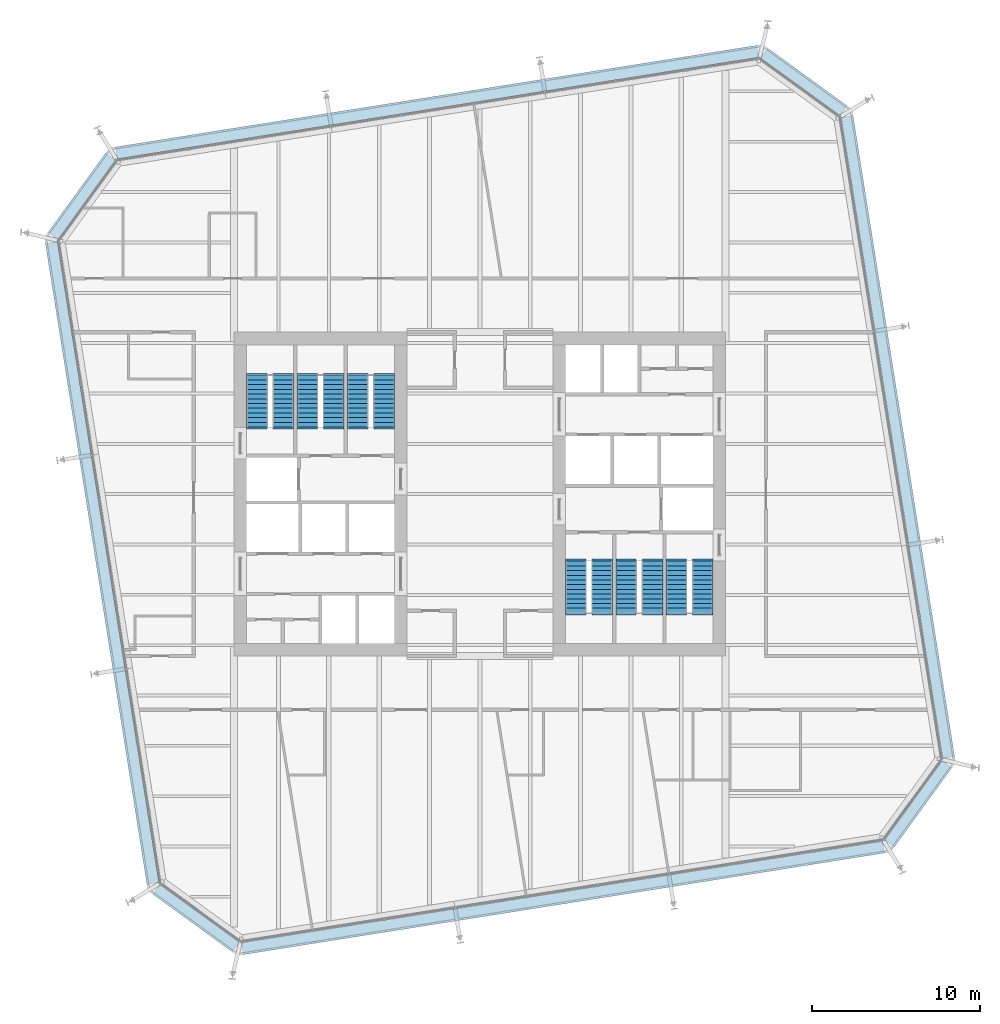
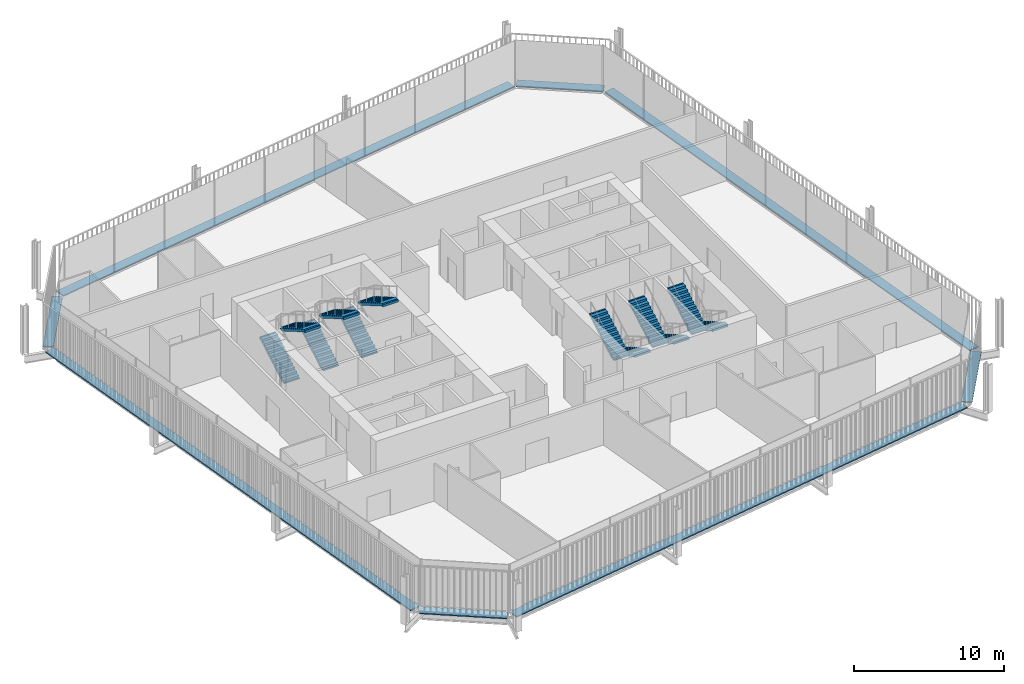
# One storey, part 20 of 21: 12 stair flights, 8 discrete accessories, 6 elements without a shape of their own.
"""IFC4 building model written with IfcOpenShell, lengths in metres."""

from ifc_helpers import new_model, si_unit, direction, frame, origin, origin_2d, place, context, subcontext, project, spatial, polyline, rectangle, outline, extrude, material, type_object, element, aggregate, save


model = new_model("IFC4")

# Units and contexts
model_context = context("Model", 3, precision=1e-05, world=origin(), true_north=direction((0.0, 1.0)))
body_context = subcontext(model_context, "Body", "Model", "MODEL_VIEW")
ifc_project = project(units=[si_unit("LENGTHUNIT", "METRE"), si_unit("AREAUNIT", "SQUARE_METRE"), si_unit("VOLUMEUNIT", "CUBIC_METRE"), si_unit("PLANEANGLEUNIT", "RADIAN"), si_unit("MASSUNIT", "GRAM", prefix="KILO")], contexts=[model_context])

# Site, building, storey
site_placement = place(None, origin())
site = spatial("IfcSite", under=ifc_project, at=site_placement, CompositionType="ELEMENT")
building_placement = place(site_placement, origin())
building = spatial("IfcBuilding", under=site, at=building_placement, Name="Millrace Tower", CompositionType="ELEMENT")
storey_placement = place(building_placement, frame((0.0, 0.0, 164.60009765625)))
storey = spatial("IfcBuildingStorey", under=building, at=storey_placement, Name="L37", CompositionType="ELEMENT", Elevation=164.60009765625)

# Stair, stair flights
ifc_material_1 = material(Name="Concrete C35", Category="concrete")
stair_type = type_object("IfcStairType", Name="Exit stair", PredefinedType="HALF_TURN_STAIR", material=ifc_material_1)
placement = place(storey_placement, origin())
stair_1 = element("IfcStair", 1, at=placement, inside=storey, type_object=stair_type, Name="Stair 1 W L37", PredefinedType="HALF_TURN_STAIR")
ifc_material_2 = material(Name="Concrete C35", Category="concrete")
stair_flight_type = type_object("IfcStairFlightType", Name="Exit stair flight", PredefinedType="STRAIGHT", material=ifc_material_2)
stair_flight_1_placement = place(storey_placement, frame((-13.2900390625, 4.0, 0.0), z_axis=(0.0, 0.0, 1.0), x_axis=(0.0, 1.0, 0.0)))
stair_flight_1 = element("IfcStairFlight", 2, at=stair_flight_1_placement, type_object=stair_flight_type, Name="ST12 flight 1", NumberOfRisers=12, NumberOfTreads=11, PredefinedType="STRAIGHT", RiserHeight=0.1625, TreadLength=0.28, context=body_context, shape_type="SweptSolid", body=[
    extrude(outline(polyline([(-0.1201171875, -0.0400390625), (-0.1201171875, 0.0), (0.0, 0.0), (0.0, 0.16259765625), (0.280029296875, 0.16259765625), (0.280029296875, 0.324951171875), (0.56005859375, 0.324951171875), (0.56005859375, 0.487548828125), (0.840087890625, 0.487548828125), (0.840087890625, 0.64990234375), (1.1201171875, 0.64990234375), (1.1201171875, 0.8125), (1.39990234375, 0.8125), (1.39990234375, 0.97509765625), (1.679931640625, 0.97509765625), (1.679931640625, 1.137451171875), (1.9599609375, 1.137451171875), (1.9599609375, 1.300048828125), (2.239990234375, 1.300048828125), (2.239990234375, 1.46240234375), (2.52001953125, 1.46240234375), (2.52001953125, 1.625), (2.800048828125, 1.625), (2.800048828125, 1.78759765625), (3.080078125, 1.78759765625), (3.080078125, 1.8076171875), (3.199951171875, 1.8076171875), (3.199951171875, 1.6142578125), (3.080078125, 1.6142578125), (0.298583984375, 0.0), (0.298583984375, -0.0400390625), (-0.1201171875, -0.0400390625)])), frame((0.0, 0.60986328125, 0.0), z_axis=(0.0, -1.0, 0.0), x_axis=(1.0, 0.0, 0.0)), (0.0, 0.0, 1.0), 1.219970703125),
])
stair_flight_2_placement = place(storey_placement, frame((-11.7099609375, 7.080078125, 1.949951171875), z_axis=(0.0, 0.0, 1.0), x_axis=(0.0, -1.0, 0.0)))
stair_flight_2 = element("IfcStairFlight", 3, at=stair_flight_2_placement, type_object=stair_flight_type, Name="ST12 flight 2", NumberOfRisers=12, NumberOfTreads=11, PredefinedType="STRAIGHT", RiserHeight=0.1625, TreadLength=0.28, context=body_context, shape_type="SweptSolid", body=[
    extrude(outline(polyline([(-0.1201171875, -0.0400390625), (-0.1201171875, 0.0), (0.0, 0.0), (0.0, 0.16259765625), (0.280029296875, 0.16259765625), (0.280029296875, 0.324951171875), (0.56005859375, 0.324951171875), (0.56005859375, 0.487548828125), (0.840087890625, 0.487548828125), (0.840087890625, 0.64990234375), (1.1201171875, 0.64990234375), (1.1201171875, 0.8125), (1.39990234375, 0.8125), (1.39990234375, 0.97509765625), (1.679931640625, 0.97509765625), (1.679931640625, 1.137451171875), (1.9599609375, 1.137451171875), (1.9599609375, 1.300048828125), (2.239990234375, 1.300048828125), (2.239990234375, 1.46240234375), (2.52001953125, 1.46240234375), (2.52001953125, 1.625), (2.800048828125, 1.625), (2.800048828125, 1.78759765625), (3.080078125, 1.78759765625), (3.080078125, 1.8076171875), (3.199951171875, 1.8076171875), (3.199951171875, 1.6142578125), (3.080078125, 1.6142578125), (0.298583984375, 0.0), (0.298583984375, -0.0400390625), (-0.1201171875, -0.0400390625)])), frame((0.0, 0.60986328125, 0.0), z_axis=(0.0, -1.0, 0.0), x_axis=(1.0, 0.0, 0.0)), (0.0, 0.0, 1.0), 1.219970703125),
])
aggregate(stair_1, [stair_flight_1, stair_flight_2])

stair_2 = element("IfcStair", 4, at=placement, inside=storey, type_object=stair_type, Name="Stair 2 W L37", PredefinedType="HALF_TURN_STAIR")
stair_flight_3_placement = place(storey_placement, frame((-10.2900390625, 4.0, 0.0), z_axis=(0.0, 0.0, 1.0), x_axis=(0.0, 1.0, 0.0)))
stair_flight_3 = element("IfcStairFlight", 5, at=stair_flight_3_placement, type_object=stair_flight_type, Name="ST12 flight 1", NumberOfRisers=12, NumberOfTreads=11, PredefinedType="STRAIGHT", RiserHeight=0.1625, TreadLength=0.28, context=body_context, shape_type="SweptSolid", body=[
    extrude(outline(polyline([(-0.1201171875, -0.0400390625), (-0.1201171875, 0.0), (0.0, 0.0), (0.0, 0.16259765625), (0.280029296875, 0.16259765625), (0.280029296875, 0.324951171875), (0.56005859375, 0.324951171875), (0.56005859375, 0.487548828125), (0.840087890625, 0.487548828125), (0.840087890625, 0.64990234375), (1.1201171875, 0.64990234375), (1.1201171875, 0.8125), (1.39990234375, 0.8125), (1.39990234375, 0.97509765625), (1.679931640625, 0.97509765625), (1.679931640625, 1.137451171875), (1.9599609375, 1.137451171875), (1.9599609375, 1.300048828125), (2.239990234375, 1.300048828125), (2.239990234375, 1.46240234375), (2.52001953125, 1.46240234375), (2.52001953125, 1.625), (2.800048828125, 1.625), (2.800048828125, 1.78759765625), (3.080078125, 1.78759765625), (3.080078125, 1.8076171875), (3.199951171875, 1.8076171875), (3.199951171875, 1.6142578125), (3.080078125, 1.6142578125), (0.298583984375, 0.0), (0.298583984375, -0.0400390625), (-0.1201171875, -0.0400390625)])), frame((0.0, 0.60986328125, 0.0), z_axis=(0.0, -1.0, 0.0), x_axis=(1.0, 0.0, 0.0)), (0.0, 0.0, 1.0), 1.219970703125),
])
stair_flight_4_placement = place(storey_placement, frame((-8.7099609375, 7.080078125, 1.949951171875), z_axis=(0.0, 0.0, 1.0), x_axis=(0.0, -1.0, 0.0)))
stair_flight_4 = element("IfcStairFlight", 6, at=stair_flight_4_placement, type_object=stair_flight_type, Name="ST12 flight 2", NumberOfRisers=12, NumberOfTreads=11, PredefinedType="STRAIGHT", RiserHeight=0.1625, TreadLength=0.28, context=body_context, shape_type="SweptSolid", body=[
    extrude(outline(polyline([(-0.1201171875, -0.0400390625), (-0.1201171875, 0.0), (0.0, 0.0), (0.0, 0.16259765625), (0.280029296875, 0.16259765625), (0.280029296875, 0.324951171875), (0.56005859375, 0.324951171875), (0.56005859375, 0.487548828125), (0.840087890625, 0.487548828125), (0.840087890625, 0.64990234375), (1.1201171875, 0.64990234375), (1.1201171875, 0.8125), (1.39990234375, 0.8125), (1.39990234375, 0.97509765625), (1.679931640625, 0.97509765625), (1.679931640625, 1.137451171875), (1.9599609375, 1.137451171875), (1.9599609375, 1.300048828125), (2.239990234375, 1.300048828125), (2.239990234375, 1.46240234375), (2.52001953125, 1.46240234375), (2.52001953125, 1.625), (2.800048828125, 1.625), (2.800048828125, 1.78759765625), (3.080078125, 1.78759765625), (3.080078125, 1.8076171875), (3.199951171875, 1.8076171875), (3.199951171875, 1.6142578125), (3.080078125, 1.6142578125), (0.298583984375, 0.0), (0.298583984375, -0.0400390625), (-0.1201171875, -0.0400390625)])), frame((0.0, 0.60986328125, 0.0), z_axis=(0.0, -1.0, 0.0), x_axis=(1.0, 0.0, 0.0)), (0.0, 0.0, 1.0), 1.219970703125),
])
aggregate(stair_2, [stair_flight_3, stair_flight_4])

stair_3 = element("IfcStair", 7, at=placement, inside=storey, type_object=stair_type, Name="Stair 3 W L37", PredefinedType="HALF_TURN_STAIR")
stair_flight_5_placement = place(storey_placement, frame((-7.2900390625, 4.0, 0.0), z_axis=(0.0, 0.0, 1.0), x_axis=(0.0, 1.0, 0.0)))
stair_flight_5 = element("IfcStairFlight", 8, at=stair_flight_5_placement, type_object=stair_flight_type, Name="ST12 flight 1", NumberOfRisers=12, NumberOfTreads=11, PredefinedType="STRAIGHT", RiserHeight=0.1625, TreadLength=0.28, context=body_context, shape_type="SweptSolid", body=[
    extrude(outline(polyline([(-0.1201171875, -0.0400390625), (-0.1201171875, 0.0), (0.0, 0.0), (0.0, 0.16259765625), (0.280029296875, 0.16259765625), (0.280029296875, 0.324951171875), (0.56005859375, 0.324951171875), (0.56005859375, 0.487548828125), (0.840087890625, 0.487548828125), (0.840087890625, 0.64990234375), (1.1201171875, 0.64990234375), (1.1201171875, 0.8125), (1.39990234375, 0.8125), (1.39990234375, 0.97509765625), (1.679931640625, 0.97509765625), (1.679931640625, 1.137451171875), (1.9599609375, 1.137451171875), (1.9599609375, 1.300048828125), (2.239990234375, 1.300048828125), (2.239990234375, 1.46240234375), (2.52001953125, 1.46240234375), (2.52001953125, 1.625), (2.800048828125, 1.625), (2.800048828125, 1.78759765625), (3.080078125, 1.78759765625), (3.080078125, 1.8076171875), (3.199951171875, 1.8076171875), (3.199951171875, 1.6142578125), (3.080078125, 1.6142578125), (0.298583984375, 0.0), (0.298583984375, -0.0400390625), (-0.1201171875, -0.0400390625)])), frame((0.0, 0.60986328125, 0.0), z_axis=(0.0, -1.0, 0.0), x_axis=(1.0, 0.0, 0.0)), (0.0, 0.0, 1.0), 1.219970703125),
])
stair_flight_6_placement = place(storey_placement, frame((-5.7099609375, 7.080078125, 1.949951171875), z_axis=(0.0, 0.0, 1.0), x_axis=(0.0, -1.0, 0.0)))
stair_flight_6 = element("IfcStairFlight", 9, at=stair_flight_6_placement, type_object=stair_flight_type, Name="ST12 flight 2", NumberOfRisers=12, NumberOfTreads=11, PredefinedType="STRAIGHT", RiserHeight=0.1625, TreadLength=0.28, context=body_context, shape_type="SweptSolid", body=[
    extrude(outline(polyline([(-0.1201171875, -0.0400390625), (-0.1201171875, 0.0), (0.0, 0.0), (0.0, 0.16259765625), (0.280029296875, 0.16259765625), (0.280029296875, 0.324951171875), (0.56005859375, 0.324951171875), (0.56005859375, 0.487548828125), (0.840087890625, 0.487548828125), (0.840087890625, 0.64990234375), (1.1201171875, 0.64990234375), (1.1201171875, 0.8125), (1.39990234375, 0.8125), (1.39990234375, 0.97509765625), (1.679931640625, 0.97509765625), (1.679931640625, 1.137451171875), (1.9599609375, 1.137451171875), (1.9599609375, 1.300048828125), (2.239990234375, 1.300048828125), (2.239990234375, 1.46240234375), (2.52001953125, 1.46240234375), (2.52001953125, 1.625), (2.800048828125, 1.625), (2.800048828125, 1.78759765625), (3.080078125, 1.78759765625), (3.080078125, 1.8076171875), (3.199951171875, 1.8076171875), (3.199951171875, 1.6142578125), (3.080078125, 1.6142578125), (0.298583984375, 0.0), (0.298583984375, -0.0400390625), (-0.1201171875, -0.0400390625)])), frame((0.0, 0.60986328125, 0.0), z_axis=(0.0, -1.0, 0.0), x_axis=(1.0, 0.0, 0.0)), (0.0, 0.0, 1.0), 1.219970703125),
])
aggregate(stair_3, [stair_flight_5, stair_flight_6])

stair_4 = element("IfcStair", 10, at=placement, inside=storey, type_object=stair_type, Name="Stair 1 E L37", PredefinedType="HALF_TURN_STAIR")
stair_flight_7_placement = place(storey_placement, frame((13.2900390625, -4.0, 0.0), z_axis=(0.0, 0.0, 1.0), x_axis=(0.0, -1.0, 0.0)))
stair_flight_7 = element("IfcStairFlight", 11, at=stair_flight_7_placement, type_object=stair_flight_type, Name="ST12 flight 1", NumberOfRisers=12, NumberOfTreads=11, PredefinedType="STRAIGHT", RiserHeight=0.1625, TreadLength=0.28, context=body_context, shape_type="SweptSolid", body=[
    extrude(outline(polyline([(-0.1201171875, -0.0400390625), (-0.1201171875, 0.0), (0.0, 0.0), (0.0, 0.16259765625), (0.280029296875, 0.16259765625), (0.280029296875, 0.324951171875), (0.56005859375, 0.324951171875), (0.56005859375, 0.487548828125), (0.840087890625, 0.487548828125), (0.840087890625, 0.64990234375), (1.1201171875, 0.64990234375), (1.1201171875, 0.8125), (1.39990234375, 0.8125), (1.39990234375, 0.97509765625), (1.679931640625, 0.97509765625), (1.679931640625, 1.137451171875), (1.9599609375, 1.137451171875), (1.9599609375, 1.300048828125), (2.239990234375, 1.300048828125), (2.239990234375, 1.46240234375), (2.52001953125, 1.46240234375), (2.52001953125, 1.625), (2.800048828125, 1.625), (2.800048828125, 1.78759765625), (3.080078125, 1.78759765625), (3.080078125, 1.8076171875), (3.199951171875, 1.8076171875), (3.199951171875, 1.6142578125), (3.080078125, 1.6142578125), (0.298583984375, 0.0), (0.298583984375, -0.0400390625), (-0.1201171875, -0.0400390625)])), frame((0.0, 0.60986328125, 0.0), z_axis=(0.0, -1.0, 0.0), x_axis=(1.0, 0.0, 0.0)), (0.0, 0.0, 1.0), 1.219970703125),
])
stair_flight_8_placement = place(storey_placement, frame((11.7099609375, -7.080078125, 1.949951171875), z_axis=(0.0, 0.0, 1.0), x_axis=(0.0, 1.0, 0.0)))
stair_flight_8 = element("IfcStairFlight", 12, at=stair_flight_8_placement, type_object=stair_flight_type, Name="ST12 flight 2", NumberOfRisers=12, NumberOfTreads=11, PredefinedType="STRAIGHT", RiserHeight=0.1625, TreadLength=0.28, context=body_context, shape_type="SweptSolid", body=[
    extrude(outline(polyline([(-0.1201171875, -0.0400390625), (-0.1201171875, 0.0), (0.0, 0.0), (0.0, 0.16259765625), (0.280029296875, 0.16259765625), (0.280029296875, 0.324951171875), (0.56005859375, 0.324951171875), (0.56005859375, 0.487548828125), (0.840087890625, 0.487548828125), (0.840087890625, 0.64990234375), (1.1201171875, 0.64990234375), (1.1201171875, 0.8125), (1.39990234375, 0.8125), (1.39990234375, 0.97509765625), (1.679931640625, 0.97509765625), (1.679931640625, 1.137451171875), (1.9599609375, 1.137451171875), (1.9599609375, 1.300048828125), (2.239990234375, 1.300048828125), (2.239990234375, 1.46240234375), (2.52001953125, 1.46240234375), (2.52001953125, 1.625), (2.800048828125, 1.625), (2.800048828125, 1.78759765625), (3.080078125, 1.78759765625), (3.080078125, 1.8076171875), (3.199951171875, 1.8076171875), (3.199951171875, 1.6142578125), (3.080078125, 1.6142578125), (0.298583984375, 0.0), (0.298583984375, -0.0400390625), (-0.1201171875, -0.0400390625)])), frame((0.0, 0.60986328125, 0.0), z_axis=(0.0, -1.0, 0.0), x_axis=(1.0, 0.0, 0.0)), (0.0, 0.0, 1.0), 1.219970703125),
])
aggregate(stair_4, [stair_flight_7, stair_flight_8])

stair_5 = element("IfcStair", 13, at=placement, inside=storey, type_object=stair_type, Name="Stair 2 E L37", PredefinedType="HALF_TURN_STAIR")
stair_flight_9_placement = place(storey_placement, frame((10.2900390625, -4.0, 0.0), z_axis=(0.0, 0.0, 1.0), x_axis=(0.0, -1.0, 0.0)))
stair_flight_9 = element("IfcStairFlight", 14, at=stair_flight_9_placement, type_object=stair_flight_type, Name="ST12 flight 1", NumberOfRisers=12, NumberOfTreads=11, PredefinedType="STRAIGHT", RiserHeight=0.1625, TreadLength=0.28, context=body_context, shape_type="SweptSolid", body=[
    extrude(outline(polyline([(-0.1201171875, -0.0400390625), (-0.1201171875, 0.0), (0.0, 0.0), (0.0, 0.16259765625), (0.280029296875, 0.16259765625), (0.280029296875, 0.324951171875), (0.56005859375, 0.324951171875), (0.56005859375, 0.487548828125), (0.840087890625, 0.487548828125), (0.840087890625, 0.64990234375), (1.1201171875, 0.64990234375), (1.1201171875, 0.8125), (1.39990234375, 0.8125), (1.39990234375, 0.97509765625), (1.679931640625, 0.97509765625), (1.679931640625, 1.137451171875), (1.9599609375, 1.137451171875), (1.9599609375, 1.300048828125), (2.239990234375, 1.300048828125), (2.239990234375, 1.46240234375), (2.52001953125, 1.46240234375), (2.52001953125, 1.625), (2.800048828125, 1.625), (2.800048828125, 1.78759765625), (3.080078125, 1.78759765625), (3.080078125, 1.8076171875), (3.199951171875, 1.8076171875), (3.199951171875, 1.6142578125), (3.080078125, 1.6142578125), (0.298583984375, 0.0), (0.298583984375, -0.0400390625), (-0.1201171875, -0.0400390625)])), frame((0.0, 0.60986328125, 0.0), z_axis=(0.0, -1.0, 0.0), x_axis=(1.0, 0.0, 0.0)), (0.0, 0.0, 1.0), 1.219970703125),
])
stair_flight_10_placement = place(storey_placement, frame((8.7099609375, -7.080078125, 1.949951171875), z_axis=(0.0, 0.0, 1.0), x_axis=(0.0, 1.0, 0.0)))
stair_flight_10 = element("IfcStairFlight", 15, at=stair_flight_10_placement, type_object=stair_flight_type, Name="ST12 flight 2", NumberOfRisers=12, NumberOfTreads=11, PredefinedType="STRAIGHT", RiserHeight=0.1625, TreadLength=0.28, context=body_context, shape_type="SweptSolid", body=[
    extrude(outline(polyline([(-0.1201171875, -0.0400390625), (-0.1201171875, 0.0), (0.0, 0.0), (0.0, 0.16259765625), (0.280029296875, 0.16259765625), (0.280029296875, 0.324951171875), (0.56005859375, 0.324951171875), (0.56005859375, 0.487548828125), (0.840087890625, 0.487548828125), (0.840087890625, 0.64990234375), (1.1201171875, 0.64990234375), (1.1201171875, 0.8125), (1.39990234375, 0.8125), (1.39990234375, 0.97509765625), (1.679931640625, 0.97509765625), (1.679931640625, 1.137451171875), (1.9599609375, 1.137451171875), (1.9599609375, 1.300048828125), (2.239990234375, 1.300048828125), (2.239990234375, 1.46240234375), (2.52001953125, 1.46240234375), (2.52001953125, 1.625), (2.800048828125, 1.625), (2.800048828125, 1.78759765625), (3.080078125, 1.78759765625), (3.080078125, 1.8076171875), (3.199951171875, 1.8076171875), (3.199951171875, 1.6142578125), (3.080078125, 1.6142578125), (0.298583984375, 0.0), (0.298583984375, -0.0400390625), (-0.1201171875, -0.0400390625)])), frame((0.0, 0.60986328125, 0.0), z_axis=(0.0, -1.0, 0.0), x_axis=(1.0, 0.0, 0.0)), (0.0, 0.0, 1.0), 1.219970703125),
])
aggregate(stair_5, [stair_flight_9, stair_flight_10])

stair_6 = element("IfcStair", 16, at=placement, inside=storey, type_object=stair_type, Name="Stair 3 E L37", PredefinedType="HALF_TURN_STAIR")
stair_flight_11_placement = place(storey_placement, frame((7.2900390625, -4.0, 0.0), z_axis=(0.0, 0.0, 1.0), x_axis=(0.0, -1.0, 0.0)))
stair_flight_11 = element("IfcStairFlight", 17, at=stair_flight_11_placement, type_object=stair_flight_type, Name="ST12 flight 1", NumberOfRisers=12, NumberOfTreads=11, PredefinedType="STRAIGHT", RiserHeight=0.1625, TreadLength=0.28, context=body_context, shape_type="SweptSolid", body=[
    extrude(outline(polyline([(-0.1201171875, -0.0400390625), (-0.1201171875, 0.0), (0.0, 0.0), (0.0, 0.16259765625), (0.280029296875, 0.16259765625), (0.280029296875, 0.324951171875), (0.56005859375, 0.324951171875), (0.56005859375, 0.487548828125), (0.840087890625, 0.487548828125), (0.840087890625, 0.64990234375), (1.1201171875, 0.64990234375), (1.1201171875, 0.8125), (1.39990234375, 0.8125), (1.39990234375, 0.97509765625), (1.679931640625, 0.97509765625), (1.679931640625, 1.137451171875), (1.9599609375, 1.137451171875), (1.9599609375, 1.300048828125), (2.239990234375, 1.300048828125), (2.239990234375, 1.46240234375), (2.52001953125, 1.46240234375), (2.52001953125, 1.625), (2.800048828125, 1.625), (2.800048828125, 1.78759765625), (3.080078125, 1.78759765625), (3.080078125, 1.8076171875), (3.199951171875, 1.8076171875), (3.199951171875, 1.6142578125), (3.080078125, 1.6142578125), (0.298583984375, 0.0), (0.298583984375, -0.0400390625), (-0.1201171875, -0.0400390625)])), frame((0.0, 0.60986328125, 0.0), z_axis=(0.0, -1.0, 0.0), x_axis=(1.0, 0.0, 0.0)), (0.0, 0.0, 1.0), 1.219970703125),
])
stair_flight_12_placement = place(storey_placement, frame((5.7099609375, -7.080078125, 1.949951171875), z_axis=(0.0, 0.0, 1.0), x_axis=(0.0, 1.0, 0.0)))
stair_flight_12 = element("IfcStairFlight", 18, at=stair_flight_12_placement, type_object=stair_flight_type, Name="ST12 flight 2", NumberOfRisers=12, NumberOfTreads=11, PredefinedType="STRAIGHT", RiserHeight=0.1625, TreadLength=0.28, context=body_context, shape_type="SweptSolid", body=[
    extrude(outline(polyline([(-0.1201171875, -0.0400390625), (-0.1201171875, 0.0), (0.0, 0.0), (0.0, 0.16259765625), (0.280029296875, 0.16259765625), (0.280029296875, 0.324951171875), (0.56005859375, 0.324951171875), (0.56005859375, 0.487548828125), (0.840087890625, 0.487548828125), (0.840087890625, 0.64990234375), (1.1201171875, 0.64990234375), (1.1201171875, 0.8125), (1.39990234375, 0.8125), (1.39990234375, 0.97509765625), (1.679931640625, 0.97509765625), (1.679931640625, 1.137451171875), (1.9599609375, 1.137451171875), (1.9599609375, 1.300048828125), (2.239990234375, 1.300048828125), (2.239990234375, 1.46240234375), (2.52001953125, 1.46240234375), (2.52001953125, 1.625), (2.800048828125, 1.625), (2.800048828125, 1.78759765625), (3.080078125, 1.78759765625), (3.080078125, 1.8076171875), (3.199951171875, 1.8076171875), (3.199951171875, 1.6142578125), (3.080078125, 1.6142578125), (0.298583984375, 0.0), (0.298583984375, -0.0400390625), (-0.1201171875, -0.0400390625)])), frame((0.0, 0.60986328125, 0.0), z_axis=(0.0, -1.0, 0.0), x_axis=(1.0, 0.0, 0.0)), (0.0, 0.0, 1.0), 1.219970703125),
])
aggregate(stair_6, [stair_flight_11, stair_flight_12])

# Discrete accessories
ifc_material_3 = material(Name="Stainless steel ASTM A240 type 316", Category="steel")
discrete_accessory_type = type_object("IfcDiscreteAccessoryType", Name="Thermally broken screen support rail", PredefinedType="BRACKET", material=ifc_material_3)
discrete_accessory_1_placement = place(storey_placement, frame((-16.909423828125, -25.275390625, -0.000244140625), z_axis=(0.0, 0.0, 1.0), x_axis=(0.809016981623, -0.587785269844, 0.0)))
element("IfcDiscreteAccessory", 19, at=discrete_accessory_1_placement, inside=storey, type_object=discrete_accessory_type, Name="Thermally broken screen support rail C-F01 L37 1", PredefinedType="BRACKET", context=body_context, shape_type="SweptSolid", body=[
    extrude(rectangle(XDim=5.868896484375, YDim=0.719970703125, at=origin_2d()), origin(), (0.0, 0.0, 1.0), 0.10009765625),
])
discrete_accessory_2_placement = place(storey_placement, frame((4.9560546875, -24.064453125, -0.000244140625), z_axis=(0.0, 0.0, 1.0), x_axis=(0.98768833929, 0.15643447328, 0.0)))
element("IfcDiscreteAccessory", 20, at=discrete_accessory_2_placement, inside=storey, type_object=discrete_accessory_type, Name="Thermally broken screen support rail C-F02 L37 1", PredefinedType="BRACKET", context=body_context, shape_type="SweptSolid", body=[
    extrude(rectangle(XDim=38.699951171875, YDim=0.719970703125, at=origin_2d()), origin(), (0.0, 0.0, 1.0), 0.10009765625),
])
discrete_accessory_3_placement = place(storey_placement, frame((26.12548828125, -18.45947265625, -0.000244140625), z_axis=(0.0, 0.0, 1.0), x_axis=(0.587785269844, 0.809016981623, 0.0)))
element("IfcDiscreteAccessory", 21, at=discrete_accessory_3_placement, inside=storey, type_object=discrete_accessory_type, Name="Thermally broken screen support rail C-F03 L37 1", PredefinedType="BRACKET", context=body_context, shape_type="SweptSolid", body=[
    extrude(rectangle(XDim=5.868896484375, YDim=0.719970703125, at=origin_2d()), origin(), (0.0, 0.0, 1.0), 0.10009765625),
])
discrete_accessory_4_placement = place(storey_placement, frame((24.914306640625, 3.406005859375, -0.000244140625), z_axis=(0.0, 0.0, 1.0), x_axis=(-0.15643447328, 0.98768833929, 0.0)))
element("IfcDiscreteAccessory", 22, at=discrete_accessory_4_placement, inside=storey, type_object=discrete_accessory_type, Name="Thermally broken screen support rail C-F04 L37 1", PredefinedType="BRACKET", context=body_context, shape_type="SweptSolid", body=[
    extrude(rectangle(XDim=38.699951171875, YDim=0.719970703125, at=origin_2d()), origin(), (0.0, 0.0, 1.0), 0.10009765625),
])
discrete_accessory_5_placement = place(storey_placement, frame((19.309326171875, 24.575439453125, -0.000244140625), z_axis=(0.0, 0.0, 1.0), x_axis=(-0.809016981623, 0.587785269844, 0.0)))
element("IfcDiscreteAccessory", 23, at=discrete_accessory_5_placement, inside=storey, type_object=discrete_accessory_type, Name="Thermally broken screen support rail C-F05 L37 1", PredefinedType="BRACKET", context=body_context, shape_type="SweptSolid", body=[
    extrude(rectangle(XDim=5.868896484375, YDim=0.719970703125, at=origin_2d()), origin(), (0.0, 0.0, 1.0), 0.10009765625),
])
discrete_accessory_6_placement = place(storey_placement, frame((-2.555908203125, 23.364501953125, -0.000244140625), z_axis=(0.0, 0.0, 1.0), x_axis=(-0.98768833929, -0.15643447328, 0.0)))
element("IfcDiscreteAccessory", 24, at=discrete_accessory_6_placement, inside=storey, type_object=discrete_accessory_type, Name="Thermally broken screen support rail C-F06 L37 1", PredefinedType="BRACKET", context=body_context, shape_type="SweptSolid", body=[
    extrude(rectangle(XDim=38.699951171875, YDim=0.719970703125, at=origin_2d()), origin(), (0.0, 0.0, 1.0), 0.10009765625),
])
discrete_accessory_7_placement = place(storey_placement, frame((-23.725341796875, 17.75927734375, -0.000244140625), z_axis=(0.0, 0.0, 1.0), x_axis=(-0.587785269844, -0.809016981623, 0.0)))
element("IfcDiscreteAccessory", 25, at=discrete_accessory_7_placement, inside=storey, type_object=discrete_accessory_type, Name="Thermally broken screen support rail C-F07 L37 1", PredefinedType="BRACKET", context=body_context, shape_type="SweptSolid", body=[
    extrude(rectangle(XDim=5.868896484375, YDim=0.719970703125, at=origin_2d()), origin(), (0.0, 0.0, 1.0), 0.10009765625),
])
discrete_accessory_8_placement = place(storey_placement, frame((-22.514404296875, -4.10595703125, -0.000244140625), z_axis=(0.0, 0.0, 1.0), x_axis=(0.15643447328, -0.98768833929, 0.0)))
element("IfcDiscreteAccessory", 26, at=discrete_accessory_8_placement, inside=storey, type_object=discrete_accessory_type, Name="Thermally broken screen support rail C-F08 L37 1", PredefinedType="BRACKET", context=body_context, shape_type="SweptSolid", body=[
    extrude(rectangle(XDim=38.699951171875, YDim=0.719970703125, at=origin_2d()), origin(), (0.0, 0.0, 1.0), 0.10009765625),
])

save(model, "model.ifc")
